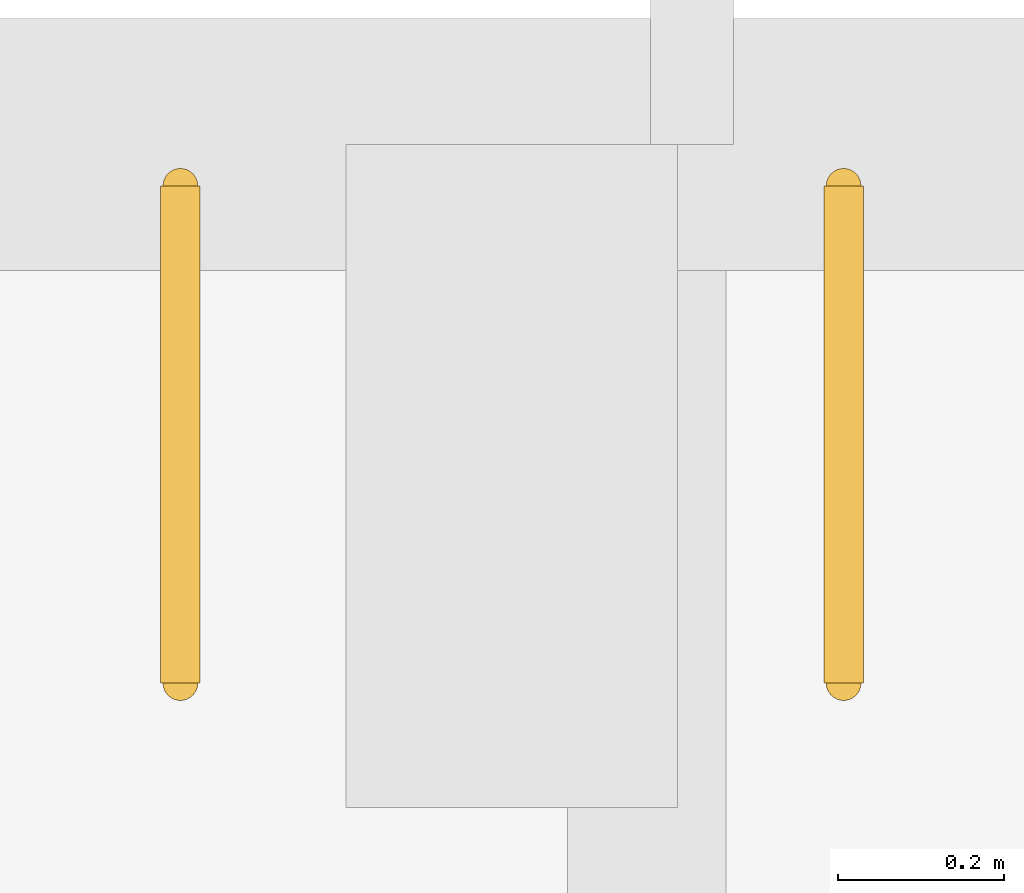
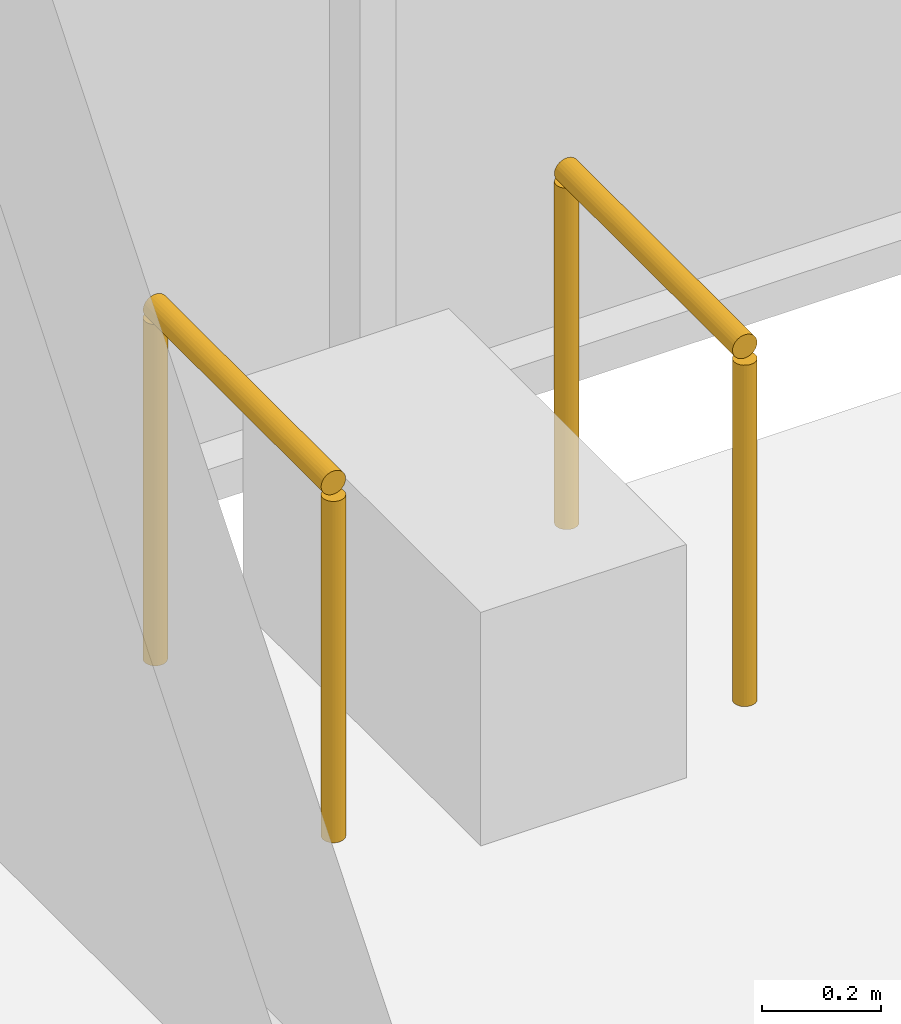
# One storey, part 119 of 123: 2 railings.
"""IFC4 building model written with IfcOpenShell, lengths in metres."""

from ifc_helpers import new_model, si_unit, direction, frame, origin, origin_2d, place, context, subcontext, project, spatial, circle, extrude, material, type_object, element, save


model = new_model("IFC4")

# Units and contexts
model_context = context("Model", 3, precision=1e-05, world=origin(), true_north=direction((0.0, 1.0)))
body_context = subcontext(model_context, "Body", "Model", "MODEL_VIEW")
ifc_project = project(units=[si_unit("LENGTHUNIT", "METRE"), si_unit("AREAUNIT", "SQUARE_METRE"), si_unit("VOLUMEUNIT", "CUBIC_METRE"), si_unit("PLANEANGLEUNIT", "RADIAN"), si_unit("MASSUNIT", "GRAM", prefix="KILO")], contexts=[model_context])

# Site, building, storey
site_placement = place(None, origin())
site = spatial("IfcSite", under=ifc_project, at=site_placement, CompositionType="ELEMENT")
building_placement = place(site_placement, origin())
building = spatial("IfcBuilding", under=site, at=building_placement, Name="Baradari Gate Terminus", CompositionType="ELEMENT")
storey_placement = place(building_placement, frame((0.0, 0.0, 7.5)))
storey = spatial("IfcBuildingStorey", under=building, at=storey_placement, Name="L01", CompositionType="ELEMENT", Elevation=7.5)

# Railings
ifc_material = material(Name="Stainless steel 1.4301", Category="steel")
railing_type = type_object("IfcRailingType", Name="Grab rail GB-1 750", PredefinedType="HANDRAIL", material=ifc_material)
for number, where, name in (
    (1, (38.4375, 143.949951171875, 0.0), "Grab rail Accessible WC"),
    (2, (39.237548828125, 143.949951171875, 0.0), "Grab rail Accessible WC"),
):
    element("IfcRailing", number, at=place(storey_placement, frame(where)), inside=storey, type_object=railing_type, Name=name, PredefinedType="HANDRAIL", context=body_context, shape_type="SweptSolid", body=[
        extrude(circle(Radius=0.02392578125, at=origin_2d()), frame((0.0, 0.0, 0.72607421875), z_axis=(0.0, -1.0, 0.0), x_axis=(1.0, 0.0, 0.0)), (0.0, 0.0, 1.0), 0.599853515625),
        extrude(circle(Radius=0.02099609375, at=origin_2d()), origin(), (0.0, 0.0, 1.0), 0.701904296875),
        extrude(circle(Radius=0.02099609375, at=origin_2d()), frame((0.0, -0.599853515625, 0.0)), (0.0, 0.0, 1.0), 0.701904296875),
    ])

save(model, "model.ifc")
